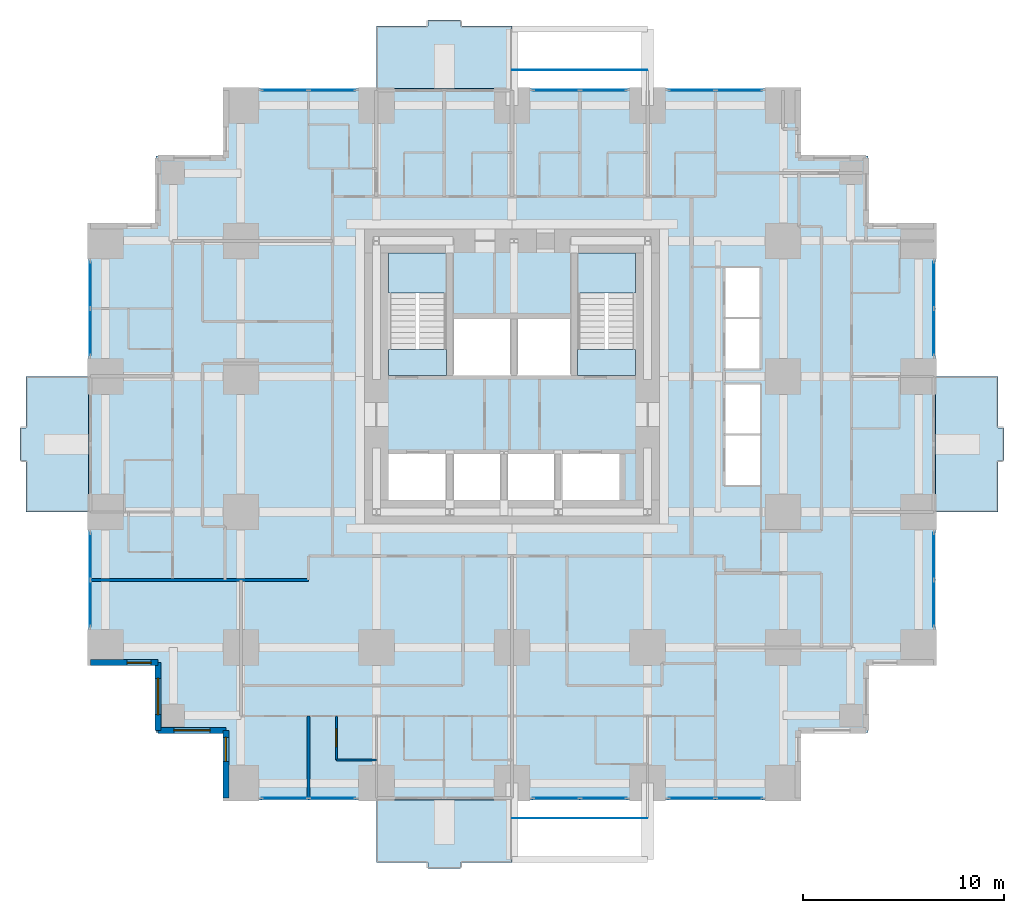
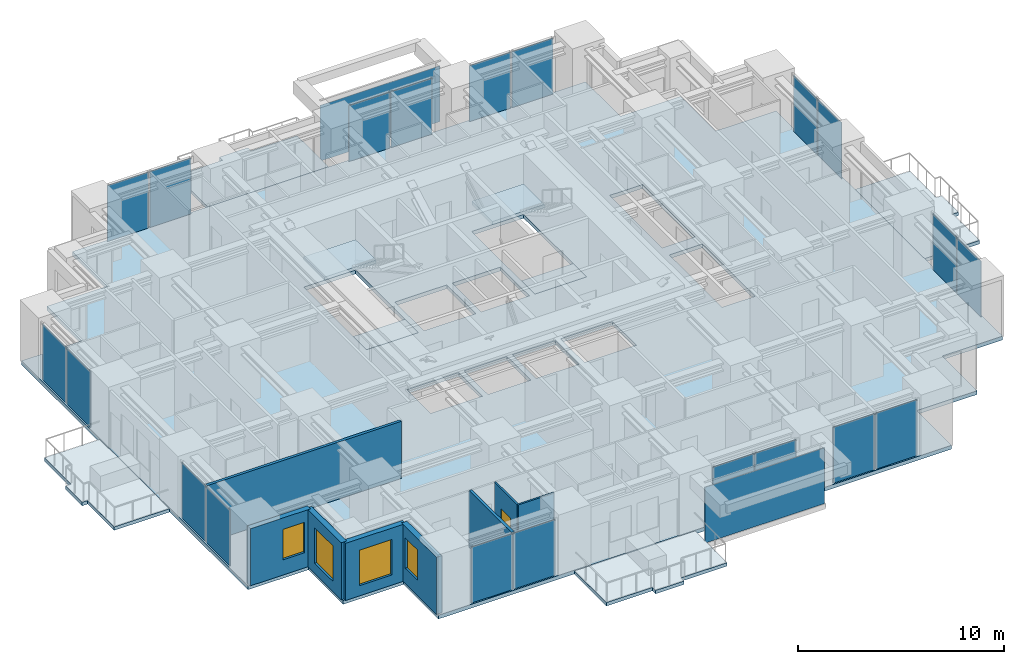
# One storey, part 6 of 13: 22 plates, 9 slabs, 8 walls, 4 windows, 1 door, 5 openings, 12 elements without a shape of their own.
"""IFC4 building model written with IfcOpenShell, lengths in metres."""

from ifc_helpers import new_model, si_unit, direction, frame, frame_2d, origin, origin_2d, place, context, subcontext, project, spatial, polyline, rectangle, outline, extrude, material, layer, layer_set, type_object, element, fill, aggregate, save


model = new_model("IFC4")

# Units and contexts
model_context = context("Model", 3, precision=1e-05, world=origin(), true_north=direction((0.0, 1.0)))
body_context = subcontext(model_context, "Body", "Model", "MODEL_VIEW")
ifc_project = project(units=[si_unit("LENGTHUNIT", "METRE"), si_unit("AREAUNIT", "SQUARE_METRE"), si_unit("VOLUMEUNIT", "CUBIC_METRE"), si_unit("PLANEANGLEUNIT", "RADIAN"), si_unit("MASSUNIT", "GRAM", prefix="KILO")], contexts=[model_context])

# Site, building, storey
site_placement = place(None, origin())
site = spatial("IfcSite", under=ifc_project, at=site_placement, CompositionType="ELEMENT")
building_placement = place(site_placement, origin())
building = spatial("IfcBuilding", under=site, at=building_placement, Name="Nyansa Garden Tower", CompositionType="ELEMENT")
storey_placement = place(building_placement, frame((0.0, 0.0, 87.300048828125)))
storey = spatial("IfcBuildingStorey", under=building, at=storey_placement, Name="L23", CompositionType="ELEMENT", Elevation=87.300048828125)

# Slabs
ifc_material_1 = material(Name="Concrete C40/50", Category="concrete")
ifc_layer_1 = layer(ifc_material_1, 0.199951171875)
ifc_layer_set_1 = layer_set([ifc_layer_1], Name="Balcony slab BS200")
slab_type_1 = type_object("IfcSlabType", Name="Balcony slab BS200", PredefinedType="FLOOR", material=ifc_layer_set_1)
slab_1_placement = place(storey_placement, frame((0.0, 0.0, -0.239990234375)))
element("IfcSlab", 1, at=slab_1_placement, inside=storey, type_object=slab_type_1, Name="Balcony L23 S", PredefinedType="FLOOR", context=body_context, shape_type="SweptSolid", body=[
    extrude(outline(polyline([(13.5, -0.85009765625), (20.25, -0.85009765625), (20.25, -3.949951171875), (17.675048828125, -3.949951171875), (17.675048828125, -4.25), (16.074951171875, -4.25), (16.074951171875, -3.949951171875), (13.5, -3.949951171875), (13.5, -0.85009765625)])), origin(), (0.0, 0.0, 1.0), 0.199951171875),
])
slab_2_placement = place(storey_placement, frame((0.0, 0.0, -0.239990234375)))
element("IfcSlab", 2, at=slab_2_placement, inside=storey, type_object=slab_type_1, Name="Balcony L23 E", PredefinedType="FLOOR", context=body_context, shape_type="SweptSolid", body=[
    extrude(outline(polyline([(41.35009765625, 13.5), (41.35009765625, 20.25), (44.449951171875, 20.25), (44.449951171875, 17.675048828125), (44.75, 17.675048828125), (44.75, 16.074951171875), (44.449951171875, 16.074951171875), (44.449951171875, 13.5), (41.35009765625, 13.5)])), origin(), (0.0, 0.0, 1.0), 0.199951171875),
])
slab_3_placement = place(storey_placement, frame((0.0, 0.0, -0.239990234375)))
element("IfcSlab", 3, at=slab_3_placement, inside=storey, type_object=slab_type_1, Name="Balcony L23 N", PredefinedType="FLOOR", context=body_context, shape_type="SweptSolid", body=[
    extrude(outline(polyline([(13.5, 34.60009765625), (20.25, 34.60009765625), (20.25, 37.699951171875), (17.675048828125, 37.699951171875), (17.675048828125, 38.0), (16.074951171875, 38.0), (16.074951171875, 37.699951171875), (13.5, 37.699951171875), (13.5, 34.60009765625)])), origin(), (0.0, 0.0, 1.0), 0.199951171875),
])
slab_4_placement = place(storey_placement, frame((0.0, 0.0, -0.239990234375)))
element("IfcSlab", 4, at=slab_4_placement, inside=storey, type_object=slab_type_1, Name="Balcony L23 W", PredefinedType="FLOOR", context=body_context, shape_type="SweptSolid", body=[
    extrude(outline(polyline([(-0.85009765625, 13.5), (-0.85009765625, 20.25), (-3.949951171875, 20.25), (-3.949951171875, 17.675048828125), (-4.25, 17.675048828125), (-4.25, 16.074951171875), (-3.949951171875, 16.074951171875), (-3.949951171875, 13.5), (-0.85009765625, 13.5)])), origin(), (0.0, 0.0, 1.0), 0.199951171875),
])

# Curtain wall, plates
ifc_material_2 = material(Name="Black anodised aluminium, dark tinted double glazing", Category="aluminium")
curtain_wall_type = type_object("IfcCurtainWallType", Name="Inner skin curtain wall ISW-B", PredefinedType="USERDEFINED", material=ifc_material_2)
curtain_wall_1_placement = place(storey_placement, origin())
curtain_wall_1 = element("IfcCurtainWall", 5, at=curtain_wall_1_placement, inside=storey, type_object=curtain_wall_type, Name="Inner skin curtain wall L23 E", ObjectType="UNITISED CURTAIN WALL", PredefinedType="USERDEFINED")
ifc_material_3 = material(Name="Dark tinted laminated double glazing", Category="glass")
ifc_layer_2 = layer(ifc_material_3, 0.035888671875)
ifc_layer_set_2 = layer_set([ifc_layer_2], Name="Dark tinted vision panel VP-B")
plate_type_1 = type_object("IfcPlateType", Name="Dark tinted vision panel VP-B", PredefinedType="CURTAIN_PANEL", material=ifc_layer_set_2)
plate_1_placement = place(storey_placement, frame((41.25, 8.94384765625, 0.0), z_axis=(0.0, 0.0, 1.0), x_axis=(0.0, 1.0, 0.0)))
plate_1 = element("IfcPlate", 6, at=plate_1_placement, type_object=plate_type_1, Name="ISW-B panel 1", PredefinedType="CURTAIN_PANEL", context=body_context, shape_type="SweptSolid", body=[
    extrude(rectangle(XDim=2.297607421875, YDim=0.035888671875, at=origin_2d()), origin(), (0.0, 0.0, 1.0), 3.31005859375),
])
plate_2_placement = place(storey_placement, frame((41.25, 11.30615234375, 0.0), z_axis=(0.0, 0.0, 1.0), x_axis=(0.0, 1.0, 0.0)))
plate_2 = element("IfcPlate", 7, at=plate_2_placement, type_object=plate_type_1, Name="ISW-B panel 2", PredefinedType="CURTAIN_PANEL", context=body_context, shape_type="SweptSolid", body=[
    extrude(rectangle(XDim=2.297607421875, YDim=0.035888671875, at=origin_2d()), origin(), (0.0, 0.0, 1.0), 3.31005859375),
])
aggregate(curtain_wall_1, [plate_1, plate_2])

curtain_wall_2_placement = place(storey_placement, origin())
curtain_wall_2 = element("IfcCurtainWall", 8, at=curtain_wall_2_placement, inside=storey, type_object=curtain_wall_type, Name="Inner skin curtain wall L23 E", ObjectType="UNITISED CURTAIN WALL", PredefinedType="USERDEFINED")
plate_3_placement = place(storey_placement, frame((41.25, 22.44384765625, 0.0), z_axis=(0.0, 0.0, 1.0), x_axis=(0.0, 1.0, 0.0)))
plate_3 = element("IfcPlate", 9, at=plate_3_placement, type_object=plate_type_1, Name="ISW-B panel 1", PredefinedType="CURTAIN_PANEL", context=body_context, shape_type="SweptSolid", body=[
    extrude(rectangle(XDim=2.297607421875, YDim=0.035888671875, at=origin_2d()), origin(), (0.0, 0.0, 1.0), 3.31005859375),
])
plate_4_placement = place(storey_placement, frame((41.25, 24.80615234375, 0.0), z_axis=(0.0, 0.0, 1.0), x_axis=(0.0, 1.0, 0.0)))
plate_4 = element("IfcPlate", 10, at=plate_4_placement, type_object=plate_type_1, Name="ISW-B panel 2", PredefinedType="CURTAIN_PANEL", context=body_context, shape_type="SweptSolid", body=[
    extrude(rectangle(XDim=2.297607421875, YDim=0.035888671875, at=origin_2d()), origin(), (0.0, 0.0, 1.0), 3.31005859375),
])
aggregate(curtain_wall_2, [plate_3, plate_4])

curtain_wall_3_placement = place(storey_placement, origin())
curtain_wall_3 = element("IfcCurtainWall", 11, at=curtain_wall_3_placement, inside=storey, type_object=curtain_wall_type, Name="Inner skin curtain wall L23 N", ObjectType="UNITISED CURTAIN WALL", PredefinedType="USERDEFINED")
plate_5_placement = place(storey_placement, frame((11.30615234375, 34.5, 0.0), z_axis=(0.0, 0.0, 1.0), x_axis=(-1.0, 0.0, 0.0)))
plate_5 = element("IfcPlate", 12, at=plate_5_placement, type_object=plate_type_1, Name="ISW-B panel 1", PredefinedType="CURTAIN_PANEL", context=body_context, shape_type="SweptSolid", body=[
    extrude(rectangle(XDim=2.297607421875, YDim=0.035888671875, at=origin_2d()), origin(), (0.0, 0.0, 1.0), 3.31005859375),
])
plate_6_placement = place(storey_placement, frame((8.94384765625, 34.5, 0.0), z_axis=(0.0, 0.0, 1.0), x_axis=(-1.0, 0.0, 0.0)))
plate_6 = element("IfcPlate", 13, at=plate_6_placement, type_object=plate_type_1, Name="ISW-B panel 2", PredefinedType="CURTAIN_PANEL", context=body_context, shape_type="SweptSolid", body=[
    extrude(rectangle(XDim=2.297607421875, YDim=0.035888671875, at=origin_2d()), origin(), (0.0, 0.0, 1.0), 3.31005859375),
])
aggregate(curtain_wall_3, [plate_5, plate_6])

curtain_wall_4_placement = place(storey_placement, origin())
curtain_wall_4 = element("IfcCurtainWall", 14, at=curtain_wall_4_placement, inside=storey, type_object=curtain_wall_type, Name="Inner skin curtain wall L23 N", ObjectType="UNITISED CURTAIN WALL", PredefinedType="USERDEFINED")
plate_7_placement = place(storey_placement, frame((31.55615234375, 34.5, 0.0), z_axis=(0.0, 0.0, 1.0), x_axis=(-1.0, 0.0, 0.0)))
plate_7 = element("IfcPlate", 15, at=plate_7_placement, type_object=plate_type_1, Name="ISW-B panel 1", PredefinedType="CURTAIN_PANEL", context=body_context, shape_type="SweptSolid", body=[
    extrude(rectangle(XDim=2.297607421875, YDim=0.035888671875, at=origin_2d()), origin(), (0.0, 0.0, 1.0), 3.31005859375),
])
plate_8_placement = place(storey_placement, frame((29.19384765625, 34.5, 0.0), z_axis=(0.0, 0.0, 1.0), x_axis=(-1.0, 0.0, 0.0)))
plate_8 = element("IfcPlate", 16, at=plate_8_placement, type_object=plate_type_1, Name="ISW-B panel 2", PredefinedType="CURTAIN_PANEL", context=body_context, shape_type="SweptSolid", body=[
    extrude(rectangle(XDim=2.297607421875, YDim=0.035888671875, at=origin_2d()), origin(), (0.0, 0.0, 1.0), 3.31005859375),
])
aggregate(curtain_wall_4, [plate_7, plate_8])

curtain_wall_5_placement = place(storey_placement, origin())
curtain_wall_5 = element("IfcCurtainWall", 17, at=curtain_wall_5_placement, inside=storey, type_object=curtain_wall_type, Name="Inner skin curtain wall L23 N", ObjectType="UNITISED CURTAIN WALL", PredefinedType="USERDEFINED")
plate_9_placement = place(storey_placement, frame((24.80615234375, 34.5, 0.0), z_axis=(0.0, 0.0, 1.0), x_axis=(-1.0, 0.0, 0.0)))
plate_9 = element("IfcPlate", 18, at=plate_9_placement, type_object=plate_type_1, Name="ISW-B panel 1", PredefinedType="CURTAIN_PANEL", context=body_context, shape_type="SweptSolid", body=[
    extrude(rectangle(XDim=2.297607421875, YDim=0.035888671875, at=origin_2d()), origin(), (0.0, 0.0, 1.0), 3.31005859375),
])
plate_10_placement = place(storey_placement, frame((22.44384765625, 34.5, 0.0), z_axis=(0.0, 0.0, 1.0), x_axis=(-1.0, 0.0, 0.0)))
plate_10 = element("IfcPlate", 19, at=plate_10_placement, type_object=plate_type_1, Name="ISW-B panel 2", PredefinedType="CURTAIN_PANEL", context=body_context, shape_type="SweptSolid", body=[
    extrude(rectangle(XDim=2.297607421875, YDim=0.035888671875, at=origin_2d()), origin(), (0.0, 0.0, 1.0), 3.31005859375),
])
aggregate(curtain_wall_5, [plate_9, plate_10])

curtain_wall_6_placement = place(storey_placement, origin())
curtain_wall_6 = element("IfcCurtainWall", 20, at=curtain_wall_6_placement, inside=storey, type_object=curtain_wall_type, Name="Inner skin curtain wall L23 W", ObjectType="UNITISED CURTAIN WALL", PredefinedType="USERDEFINED")
plate_11_placement = place(storey_placement, frame((-0.75, 11.30615234375, 0.0), z_axis=(0.0, 0.0, 1.0), x_axis=(0.0, -1.0, 0.0)))
plate_11 = element("IfcPlate", 21, at=plate_11_placement, type_object=plate_type_1, Name="ISW-B panel 1", PredefinedType="CURTAIN_PANEL", context=body_context, shape_type="SweptSolid", body=[
    extrude(rectangle(XDim=2.297607421875, YDim=0.035888671875, at=origin_2d()), origin(), (0.0, 0.0, 1.0), 3.31005859375),
])
plate_12_placement = place(storey_placement, frame((-0.75, 8.94384765625, 0.0), z_axis=(0.0, 0.0, 1.0), x_axis=(0.0, -1.0, 0.0)))
plate_12 = element("IfcPlate", 22, at=plate_12_placement, type_object=plate_type_1, Name="ISW-B panel 2", PredefinedType="CURTAIN_PANEL", context=body_context, shape_type="SweptSolid", body=[
    extrude(rectangle(XDim=2.297607421875, YDim=0.035888671875, at=origin_2d()), origin(), (0.0, 0.0, 1.0), 3.31005859375),
])
aggregate(curtain_wall_6, [plate_11, plate_12])

curtain_wall_7_placement = place(storey_placement, origin())
curtain_wall_7 = element("IfcCurtainWall", 23, at=curtain_wall_7_placement, inside=storey, type_object=curtain_wall_type, Name="Inner skin curtain wall L23 W", ObjectType="UNITISED CURTAIN WALL", PredefinedType="USERDEFINED")
plate_13_placement = place(storey_placement, frame((-0.75, 24.80615234375, 0.0), z_axis=(0.0, 0.0, 1.0), x_axis=(0.0, -1.0, 0.0)))
plate_13 = element("IfcPlate", 24, at=plate_13_placement, type_object=plate_type_1, Name="ISW-B panel 1", PredefinedType="CURTAIN_PANEL", context=body_context, shape_type="SweptSolid", body=[
    extrude(rectangle(XDim=2.297607421875, YDim=0.035888671875, at=origin_2d()), origin(), (0.0, 0.0, 1.0), 3.31005859375),
])
plate_14_placement = place(storey_placement, frame((-0.75, 22.44384765625, 0.0), z_axis=(0.0, 0.0, 1.0), x_axis=(0.0, -1.0, 0.0)))
plate_14 = element("IfcPlate", 25, at=plate_14_placement, type_object=plate_type_1, Name="ISW-B panel 2", PredefinedType="CURTAIN_PANEL", context=body_context, shape_type="SweptSolid", body=[
    extrude(rectangle(XDim=2.297607421875, YDim=0.035888671875, at=origin_2d()), origin(), (0.0, 0.0, 1.0), 3.31005859375),
])
aggregate(curtain_wall_7, [plate_13, plate_14])

curtain_wall_8_placement = place(storey_placement, origin())
curtain_wall_8 = element("IfcCurtainWall", 26, at=curtain_wall_8_placement, inside=storey, type_object=curtain_wall_type, Name="Inner skin curtain wall L23 S", ObjectType="UNITISED CURTAIN WALL", PredefinedType="USERDEFINED")
plate_15_placement = place(storey_placement, frame((8.94384765625, -0.75, 0.0), z_axis=(0.0, 0.0, 1.0), x_axis=(1.0, 0.0, 0.0)))
plate_15 = element("IfcPlate", 27, at=plate_15_placement, type_object=plate_type_1, Name="ISW-B panel 1", PredefinedType="CURTAIN_PANEL", context=body_context, shape_type="SweptSolid", body=[
    extrude(rectangle(XDim=2.297607421875, YDim=0.035888671875, at=origin_2d()), origin(), (0.0, 0.0, 1.0), 3.31005859375),
])
plate_16_placement = place(storey_placement, frame((11.30615234375, -0.75, 0.0), z_axis=(0.0, 0.0, 1.0), x_axis=(1.0, 0.0, 0.0)))
plate_16 = element("IfcPlate", 28, at=plate_16_placement, type_object=plate_type_1, Name="ISW-B panel 2", PredefinedType="CURTAIN_PANEL", context=body_context, shape_type="SweptSolid", body=[
    extrude(rectangle(XDim=2.297607421875, YDim=0.035888671875, at=origin_2d()), origin(), (0.0, 0.0, 1.0), 3.31005859375),
])
aggregate(curtain_wall_8, [plate_15, plate_16])

curtain_wall_9_placement = place(storey_placement, origin())
curtain_wall_9 = element("IfcCurtainWall", 29, at=curtain_wall_9_placement, inside=storey, type_object=curtain_wall_type, Name="Inner skin curtain wall L23 S", ObjectType="UNITISED CURTAIN WALL", PredefinedType="USERDEFINED")
plate_17_placement = place(storey_placement, frame((22.44384765625, -0.75, 0.0), z_axis=(0.0, 0.0, 1.0), x_axis=(1.0, 0.0, 0.0)))
plate_17 = element("IfcPlate", 30, at=plate_17_placement, type_object=plate_type_1, Name="ISW-B panel 1", PredefinedType="CURTAIN_PANEL", context=body_context, shape_type="SweptSolid", body=[
    extrude(rectangle(XDim=2.297607421875, YDim=0.035888671875, at=origin_2d()), origin(), (0.0, 0.0, 1.0), 3.31005859375),
])
plate_18_placement = place(storey_placement, frame((24.80615234375, -0.75, 0.0), z_axis=(0.0, 0.0, 1.0), x_axis=(1.0, 0.0, 0.0)))
plate_18 = element("IfcPlate", 31, at=plate_18_placement, type_object=plate_type_1, Name="ISW-B panel 2", PredefinedType="CURTAIN_PANEL", context=body_context, shape_type="SweptSolid", body=[
    extrude(rectangle(XDim=2.297607421875, YDim=0.035888671875, at=origin_2d()), origin(), (0.0, 0.0, 1.0), 3.31005859375),
])
aggregate(curtain_wall_9, [plate_17, plate_18])

curtain_wall_10_placement = place(storey_placement, origin())
curtain_wall_10 = element("IfcCurtainWall", 32, at=curtain_wall_10_placement, inside=storey, type_object=curtain_wall_type, Name="Inner skin curtain wall L23 S", ObjectType="UNITISED CURTAIN WALL", PredefinedType="USERDEFINED")
plate_19_placement = place(storey_placement, frame((29.19384765625, -0.75, 0.0), z_axis=(0.0, 0.0, 1.0), x_axis=(1.0, 0.0, 0.0)))
plate_19 = element("IfcPlate", 33, at=plate_19_placement, type_object=plate_type_1, Name="ISW-B panel 1", PredefinedType="CURTAIN_PANEL", context=body_context, shape_type="SweptSolid", body=[
    extrude(rectangle(XDim=2.297607421875, YDim=0.035888671875, at=origin_2d()), origin(), (0.0, 0.0, 1.0), 3.31005859375),
])
plate_20_placement = place(storey_placement, frame((31.55615234375, -0.75, 0.0), z_axis=(0.0, 0.0, 1.0), x_axis=(1.0, 0.0, 0.0)))
plate_20 = element("IfcPlate", 34, at=plate_20_placement, type_object=plate_type_1, Name="ISW-B panel 2", PredefinedType="CURTAIN_PANEL", context=body_context, shape_type="SweptSolid", body=[
    extrude(rectangle(XDim=2.297607421875, YDim=0.035888671875, at=origin_2d()), origin(), (0.0, 0.0, 1.0), 3.31005859375),
])
aggregate(curtain_wall_10, [plate_19, plate_20])

# Slab
ifc_material_4 = material(Name="Concrete C40/50", Category="concrete")
ifc_layer_3 = layer(ifc_material_4, 0.22509765625)
ifc_layer_set_3 = layer_set([ifc_layer_3], Name="Floor slab FS225")
slab_type_2 = type_object("IfcSlabType", Name="Floor slab FS225", PredefinedType="FLOOR", material=ifc_layer_set_3)
slab_5_placement = place(storey_placement, frame((0.0, 0.0, -0.22509765625)))
element("IfcSlab", 35, at=slab_5_placement, inside=storey, type_object=slab_type_2, Name="Floor slab L23", PredefinedType="FLOOR", context=body_context, shape_type="SweptSolid", body=[
    extrude(outline(polyline([(41.35009765625, 5.89990234375), (37.97509765625, 5.89990234375), (37.97509765625, 2.52490234375), (34.60009765625, 2.52490234375), (34.60009765625, -0.85009765625), (5.89990234375, -0.85009765625), (5.89990234375, 2.52490234375), (2.52490234375, 2.52490234375), (2.52490234375, 5.89990234375), (-0.85009765625, 5.89990234375), (-0.85009765625, 27.85009765625), (2.52490234375, 27.85009765625), (2.52490234375, 31.22509765625), (5.89990234375, 31.22509765625), (5.89990234375, 34.60009765625), (34.60009765625, 34.60009765625), (34.60009765625, 31.22509765625), (37.97509765625, 31.22509765625), (37.97509765625, 27.85009765625), (41.35009765625, 27.85009765625), (41.35009765625, 5.89990234375)]), holes=[polyline([(14.10009765625, 14.10009765625), (17.0, 14.10009765625), (17.0, 16.39990234375), (14.10009765625, 16.39990234375), (14.10009765625, 14.10009765625)]), polyline([(17.300048828125, 14.10009765625), (19.699951171875, 14.10009765625), (19.699951171875, 16.39990234375), (17.300048828125, 16.39990234375), (17.300048828125, 14.10009765625)]), polyline([(20.0, 14.10009765625), (22.39990234375, 14.10009765625), (22.39990234375, 16.39990234375), (20.0, 16.39990234375), (20.0, 14.10009765625)]), polyline([(22.699951171875, 14.10009765625), (25.60009765625, 14.10009765625), (25.60009765625, 16.39990234375), (22.699951171875, 16.39990234375), (22.699951171875, 14.10009765625)]), polyline([(17.300048828125, 20.300048828125), (20.199951171875, 20.300048828125), (20.199951171875, 23.10009765625), (17.300048828125, 23.10009765625), (17.300048828125, 20.300048828125)]), polyline([(20.5, 20.300048828125), (23.199951171875, 20.300048828125), (23.199951171875, 23.10009765625), (20.5, 23.10009765625), (20.5, 20.300048828125)]), polyline([(30.800048828125, 14.800048828125), (32.64990234375, 14.800048828125), (32.64990234375, 19.89990234375), (30.800048828125, 19.89990234375), (30.800048828125, 14.800048828125)]), polyline([(30.800048828125, 20.60009765625), (32.64990234375, 20.60009765625), (32.64990234375, 25.699951171875), (30.800048828125, 25.699951171875), (30.800048828125, 20.60009765625)]), polyline([(14.10009765625, 20.300048828125), (17.0, 20.300048828125), (17.0, 26.39990234375), (14.10009765625, 26.39990234375), (14.10009765625, 20.300048828125)]), polyline([(23.5, 20.300048828125), (26.39990234375, 20.300048828125), (26.39990234375, 26.39990234375), (23.5, 26.39990234375), (23.5, 20.300048828125)])]), origin(), (0.0, 0.0, 1.0), 0.22509765625),
])

# Plates
ifc_material_5 = material(Name="Dark tinted laminated glass", Category="glass")
ifc_layer_4 = layer(ifc_material_5, 0.02392578125)
ifc_layer_set_4 = layer_set([ifc_layer_4], Name="Outer skin glass panel OS1")
plate_type_2 = type_object("IfcPlateType", Name="Outer skin glass panel OS1", PredefinedType="USERDEFINED", material=ifc_layer_set_4)
for number, where, z_axis, x_axis, name in (
    (36, (23.625, 35.5, -0.22509765625), (0.0, 0.0, 1.0), (1.0, 0.0, 0.0), "Outer skin glass panel L23"),
    (37, (23.625, -1.75, -0.22509765625), (0.0, 0.0, 1.0), (1.0, 0.0, 0.0), "Outer skin glass panel L23"),
):
    element("IfcPlate", number, at=place(storey_placement, frame(where, z_axis=z_axis, x_axis=x_axis)), inside=storey, type_object=plate_type_2, Name=name, ObjectType="OUTER SKIN GLASS", PredefinedType="USERDEFINED", context=body_context, shape_type="SweptSolid", body=[
        extrude(rectangle(XDim=6.7099609375, YDim=0.02392578125, at=origin_2d()), origin(), (0.0, 0.0, 1.0), 3.300048828125),
    ])

# Stair, slabs
ifc_material_6 = material(Name="Precast concrete C40/50", Category="concrete")
stair_type_1 = type_object("IfcStairType", Name="Stair S1 164x280", PredefinedType="HALF_TURN_STAIR", material=ifc_material_6)
stair_1_placement = place(storey_placement, origin())
stair_1 = element("IfcStair", 38, at=stair_1_placement, inside=storey, type_object=stair_type_1, Name="Stair S1 L23", PredefinedType="HALF_TURN_STAIR")
ifc_material_7 = material(Name="Concrete C40/50", Category="concrete")
ifc_layer_5 = layer(ifc_material_7, 0.199951171875)
ifc_layer_set_5 = layer_set([ifc_layer_5], Name="Stair landing SL200")
slab_type_3 = type_object("IfcSlabType", Name="Stair landing SL200", PredefinedType="LANDING", material=ifc_layer_set_5)
slab_6_placement = place(storey_placement, frame((0.0, 0.0, -0.199951171875)))
slab_6 = element("IfcSlab", 39, at=slab_6_placement, type_object=slab_type_3, Name="S1 landing 1", PredefinedType="LANDING", context=body_context, shape_type="SweptSolid", body=[
    extrude(outline(polyline([(14.10009765625, 20.300048828125), (17.0, 20.300048828125), (17.0, 21.60009765625), (14.10009765625, 21.60009765625), (14.10009765625, 20.300048828125)])), origin(), (0.0, 0.0, 1.0), 0.199951171875),
])
slab_7_placement = place(storey_placement, frame((0.0, 0.0, 1.599853515625)))
slab_7 = element("IfcSlab", 40, at=slab_7_placement, type_object=slab_type_3, Name="S1 landing 2", PredefinedType="LANDING", context=body_context, shape_type="SweptSolid", body=[
    extrude(outline(polyline([(14.10009765625, 24.39990234375), (17.0, 24.39990234375), (17.0, 26.39990234375), (14.10009765625, 26.39990234375), (14.10009765625, 24.39990234375)])), origin(), (0.0, 0.0, 1.0), 0.2001953125),
])
aggregate(stair_1, [slab_6, slab_7])

ifc_material_8 = material(Name="Precast concrete C40/50", Category="concrete")
stair_type_2 = type_object("IfcStairType", Name="Stair S2 164x280", PredefinedType="HALF_TURN_STAIR", material=ifc_material_8)
stair_2_placement = place(storey_placement, origin())
stair_2 = element("IfcStair", 41, at=stair_2_placement, inside=storey, type_object=stair_type_2, Name="Stair S2 L23", PredefinedType="HALF_TURN_STAIR")
slab_8_placement = place(storey_placement, frame((0.0, 0.0, -0.199951171875)))
slab_8 = element("IfcSlab", 42, at=slab_8_placement, type_object=slab_type_3, Name="S2 landing 1", PredefinedType="LANDING", context=body_context, shape_type="SweptSolid", body=[
    extrude(outline(polyline([(23.5, 20.300048828125), (26.39990234375, 20.300048828125), (26.39990234375, 21.60009765625), (23.5, 21.60009765625), (23.5, 20.300048828125)])), origin(), (0.0, 0.0, 1.0), 0.199951171875),
])
slab_9_placement = place(storey_placement, frame((0.0, 0.0, 1.599853515625)))
slab_9 = element("IfcSlab", 43, at=slab_9_placement, type_object=slab_type_3, Name="S2 landing 2", PredefinedType="LANDING", context=body_context, shape_type="SweptSolid", body=[
    extrude(outline(polyline([(23.5, 24.39990234375), (26.39990234375, 24.39990234375), (26.39990234375, 26.39990234375), (23.5, 26.39990234375), (23.5, 24.39990234375)])), origin(), (0.0, 0.0, 1.0), 0.2001953125),
])
aggregate(stair_2, [slab_8, slab_9])

# Walls
ifc_material_9 = material(Name="Blockwork, plastered both sides", Category="masonry")
ifc_layer_6 = layer(ifc_material_9, 0.14990234375)
ifc_layer_set_6 = layer_set([ifc_layer_6], Name="Partition PW150")
wall_type_1 = type_object("IfcWallType", Name="Partition PW150", PredefinedType="PARTITIONING", material=ifc_layer_set_6)
wall_1_placement = place(storey_placement, frame((-0.73388671875, 10.125, 0.0), z_axis=(0.0, 0.0, 1.0), x_axis=(1.0, 0.0, 0.0)))
element("IfcWall", 44, at=wall_1_placement, inside=storey, type_object=wall_type_1, Name="Partition", PredefinedType="PARTITIONING", context=body_context, shape_type="SweptSolid", body=[
    extrude(rectangle(XDim=10.85888671875, YDim=0.14990234375, at=frame_2d((5.429443359375, 0.0))), origin(), (0.0, 0.0, 1.0), 3.375),
])
wall_2_placement = place(storey_placement, frame((10.125, -0.73388671875, 0.0), z_axis=(0.0, 0.0, 1.0), x_axis=(0.0, 1.0, 0.0)))
element("IfcWall", 45, at=wall_2_placement, inside=storey, type_object=wall_type_1, Name="Partition", PredefinedType="PARTITIONING", context=body_context, shape_type="SweptSolid", body=[
    extrude(rectangle(XDim=4.083984375, YDim=0.14990234375, at=frame_2d((2.0419921875, 0.0))), origin(), (0.0, 0.0, 1.0), 3.375),
])

# Wall, opening, window
ifc_material_10 = material(Name="Turquoise glazed tile on concrete blockwork", Category="masonry")
ifc_layer_7 = layer(ifc_material_10, 0.300048828125)
ifc_layer_set_7 = layer_set([ifc_layer_7], Name="Tiled corner wall TW300")
wall_type_2 = type_object("IfcWallType", Name="Tiled corner wall TW300", PredefinedType="SOLIDWALL", material=ifc_layer_set_7)
wall_3_placement = place(storey_placement, frame((-0.75, 6.0, 0.0), z_axis=(0.0, 0.0, 1.0), x_axis=(1.0, 0.0, 0.0)))
wall_3 = element("IfcWall", 46, at=wall_3_placement, inside=storey, type_object=wall_type_2, Name="Tiled corner wall L23", PredefinedType="SOLIDWALL", context=body_context, shape_type="SweptSolid", body=[
    extrude(rectangle(XDim=3.375, YDim=0.300048828125, at=frame_2d((1.6875, 0.0))), origin(), (0.0, 0.0, 1.0), 3.375),
])
opening_1_placement = place(wall_3_placement, frame((1.83251953125, 0.0, 0.89990234375)))
opening_1 = element("IfcOpeningElement", 47, at=opening_1_placement, cuts=wall_3, Name="Opening W4", PredefinedType="OPENING", context=body_context, shape_type="SweptSolid", body=[
    extrude(rectangle(XDim=1.199951171875, YDim=1.800048828125, at=frame_2d((0.60009765625, 0.89990234375))), frame((0.0, 0.159912109375, 0.0), z_axis=(0.0, -1.0, 0.0), x_axis=(1.0, 0.0, 0.0)), (0.0, 0.0, 1.0), 0.320068359375),
])
ifc_material_11 = material(Name="Black aluminium frame, dark tinted double glazing", Category="aluminium")
window_type_1 = type_object("IfcWindowType", Name="Window W4 1200x1800", PartitioningType="SINGLE_PANEL", PredefinedType="WINDOW", material=ifc_material_11)
window_1_placement = place(opening_1_placement, origin())
window_1 = element("IfcWindow", 48, at=window_1_placement, inside=storey, type_object=window_type_1, Name="Corner window L23", OverallHeight=1.800048828125, OverallWidth=1.199951171875, PartitioningType="SINGLE_PANEL", PredefinedType="WINDOW", context=body_context, shape_type="SweptSolid", body=[
    extrude(rectangle(XDim=1.199951171875, YDim=1.800048828125, at=frame_2d((0.60009765625, 0.89990234375))), frame((0.0, 0.030029296875, 0.0), z_axis=(0.0, -1.0, 0.0), x_axis=(1.0, 0.0, 0.0)), (0.0, 0.0, 1.0), 0.06005859375),
])
fill(opening_1, window_1)

wall_4_placement = place(storey_placement, frame((2.625, 6.0, 0.0), z_axis=(0.0, 0.0, 1.0), x_axis=(0.0, -1.0, 0.0)))
wall_4 = element("IfcWall", 49, at=wall_4_placement, inside=storey, type_object=wall_type_2, Name="Tiled corner wall L23", PredefinedType="SOLIDWALL", context=body_context, shape_type="SweptSolid", body=[
    extrude(rectangle(XDim=3.375, YDim=0.300048828125, at=frame_2d((1.6875, 0.0))), origin(), (0.0, 0.0, 1.0), 3.375),
])
opening_2_placement = place(wall_4_placement, frame((0.78759765625, 0.0, 0.60009765625)))
opening_2 = element("IfcOpeningElement", 50, at=opening_2_placement, cuts=wall_4, Name="Opening W2", PredefinedType="OPENING", context=body_context, shape_type="SweptSolid", body=[
    extrude(rectangle(XDim=1.800048828125, YDim=2.10009765625, at=frame_2d((0.89990234375, 1.050048828125))), frame((0.0, 0.159912109375, 0.0), z_axis=(0.0, -1.0, 0.0), x_axis=(1.0, 0.0, 0.0)), (0.0, 0.0, 1.0), 0.320068359375),
])
ifc_material_12 = material(Name="Black aluminium frame, dark tinted double glazing", Category="aluminium")
window_type_2 = type_object("IfcWindowType", Name="Window W2 1800x2100", PartitioningType="SINGLE_PANEL", PredefinedType="WINDOW", material=ifc_material_12)
window_2_placement = place(opening_2_placement, origin())
window_2 = element("IfcWindow", 51, at=window_2_placement, inside=storey, type_object=window_type_2, Name="Corner window L23", OverallHeight=2.10009765625, OverallWidth=1.800048828125, PartitioningType="SINGLE_PANEL", PredefinedType="WINDOW", context=body_context, shape_type="SweptSolid", body=[
    extrude(rectangle(XDim=1.800048828125, YDim=2.10009765625, at=frame_2d((0.89990234375, 1.050048828125))), frame((0.0, 0.030029296875, 0.0), z_axis=(0.0, -1.0, 0.0), x_axis=(1.0, 0.0, 0.0)), (0.0, 0.0, 1.0), 0.06005859375),
])
fill(opening_2, window_2)

wall_5_placement = place(storey_placement, frame((2.625, 2.625, 0.0), z_axis=(0.0, 0.0, 1.0), x_axis=(1.0, 0.0, 0.0)))
wall_5 = element("IfcWall", 52, at=wall_5_placement, inside=storey, type_object=wall_type_2, Name="Tiled corner wall L23", PredefinedType="SOLIDWALL", context=body_context, shape_type="SweptSolid", body=[
    extrude(rectangle(XDim=3.375, YDim=0.300048828125, at=frame_2d((1.6875, 0.0))), origin(), (0.0, 0.0, 1.0), 3.375),
])
opening_3_placement = place(wall_5_placement, frame((0.78759765625, 0.0, 0.60009765625)))
opening_3 = element("IfcOpeningElement", 53, at=opening_3_placement, cuts=wall_5, Name="Opening W2", PredefinedType="OPENING", context=body_context, shape_type="SweptSolid", body=[
    extrude(rectangle(XDim=1.800048828125, YDim=2.10009765625, at=frame_2d((0.89990234375, 1.050048828125))), frame((0.0, 0.159912109375, 0.0), z_axis=(0.0, -1.0, 0.0), x_axis=(1.0, 0.0, 0.0)), (0.0, 0.0, 1.0), 0.320068359375),
])
window_3_placement = place(opening_3_placement, origin())
window_3 = element("IfcWindow", 54, at=window_3_placement, inside=storey, type_object=window_type_2, Name="Corner window L23", OverallHeight=2.10009765625, OverallWidth=1.800048828125, PartitioningType="SINGLE_PANEL", PredefinedType="WINDOW", context=body_context, shape_type="SweptSolid", body=[
    extrude(rectangle(XDim=1.800048828125, YDim=2.10009765625, at=frame_2d((0.89990234375, 1.050048828125))), frame((0.0, 0.030029296875, 0.0), z_axis=(0.0, -1.0, 0.0), x_axis=(1.0, 0.0, 0.0)), (0.0, 0.0, 1.0), 0.06005859375),
])
fill(opening_3, window_3)

wall_6_placement = place(storey_placement, frame((6.0, 2.625, 0.0), z_axis=(0.0, 0.0, 1.0), x_axis=(0.0, -1.0, 0.0)))
wall_6 = element("IfcWall", 55, at=wall_6_placement, inside=storey, type_object=wall_type_2, Name="Tiled corner wall L23", PredefinedType="SOLIDWALL", context=body_context, shape_type="SweptSolid", body=[
    extrude(rectangle(XDim=3.375, YDim=0.300048828125, at=frame_2d((1.6875, 0.0))), origin(), (0.0, 0.0, 1.0), 3.375),
])
opening_4_placement = place(wall_6_placement, frame((0.342529296875, 0.0, 0.89990234375)))
opening_4 = element("IfcOpeningElement", 56, at=opening_4_placement, cuts=wall_6, Name="Opening W4", PredefinedType="OPENING", context=body_context, shape_type="SweptSolid", body=[
    extrude(rectangle(XDim=1.199951171875, YDim=1.800048828125, at=frame_2d((0.60009765625, 0.89990234375))), frame((0.0, 0.159912109375, 0.0), z_axis=(0.0, -1.0, 0.0), x_axis=(1.0, 0.0, 0.0)), (0.0, 0.0, 1.0), 0.320068359375),
])
window_4_placement = place(opening_4_placement, origin())
window_4 = element("IfcWindow", 57, at=window_4_placement, inside=storey, type_object=window_type_1, Name="Corner window L23", OverallHeight=1.800048828125, OverallWidth=1.199951171875, PartitioningType="SINGLE_PANEL", PredefinedType="WINDOW", context=body_context, shape_type="SweptSolid", body=[
    extrude(rectangle(XDim=1.199951171875, YDim=1.800048828125, at=frame_2d((0.60009765625, 0.89990234375))), frame((0.0, 0.030029296875, 0.0), z_axis=(0.0, -1.0, 0.0), x_axis=(1.0, 0.0, 0.0)), (0.0, 0.0, 1.0), 0.06005859375),
])
fill(opening_4, window_4)

# Wall, opening, door
ifc_material_13 = material(Name="Moisture resistant board on steel studs, tiled", Category="steel")
ifc_layer_8 = layer(ifc_material_13, 0.10009765625)
ifc_layer_set_8 = layer_set([ifc_layer_8], Name="Wet wall PW100")
wall_type_3 = type_object("IfcWallType", Name="Wet wall PW100", PredefinedType="PARTITIONING", material=ifc_layer_set_8)
wall_7_placement = place(storey_placement, frame((11.5, 1.14990234375, 0.0), z_axis=(0.0, 0.0, 1.0), x_axis=(0.0, 1.0, 0.0)))
wall_7 = element("IfcWall", 58, at=wall_7_placement, inside=storey, type_object=wall_type_3, Name="Wet wall", PredefinedType="PARTITIONING", context=body_context, shape_type="SweptSolid", body=[
    extrude(rectangle(XDim=2.2001953125, YDim=0.10009765625, at=frame_2d((1.10009765625, 0.0))), origin(), (0.0, 0.0, 1.0), 3.375),
])
opening_5_placement = place(wall_7_placement, frame((0.64990234375, 0.0, 0.0)))
opening_5 = element("IfcOpeningElement", 59, at=opening_5_placement, cuts=wall_7, Name="Opening D02", PredefinedType="OPENING", context=body_context, shape_type="SweptSolid", body=[
    extrude(rectangle(XDim=0.89990234375, YDim=2.199951171875, at=frame_2d((0.449951171875, 1.10009765625))), frame((0.0, 0.06005859375, 0.0), z_axis=(0.0, -1.0, 0.0), x_axis=(1.0, 0.0, 0.0)), (0.0, 0.0, 1.0), 0.1201171875),
])
ifc_material_14 = material(Name="Timber flush door", Category="wood")
door_type = type_object("IfcDoorType", Name="En-suite door D02 900x2200", OperationType="SINGLE_SWING_RIGHT", PredefinedType="DOOR", material=ifc_material_14)
door_placement = place(opening_5_placement, origin())
door = element("IfcDoor", 60, at=door_placement, inside=storey, type_object=door_type, Name="Door L23-019", OperationType="SINGLE_SWING_RIGHT", OverallHeight=2.199951171875, OverallWidth=0.89990234375, PredefinedType="DOOR", context=body_context, shape_type="SweptSolid", body=[
    extrude(rectangle(XDim=0.89990234375, YDim=2.199951171875, at=frame_2d((0.449951171875, 1.10009765625))), frame((0.0, 0.02490234375, 0.0), z_axis=(0.0, -1.0, 0.0), x_axis=(1.0, 0.0, 0.0)), (0.0, 0.0, 1.0), 0.050048828125),
])
fill(opening_5, door)

# Wall
wall_8_placement = place(storey_placement, frame((11.5, 1.14990234375, 0.0), z_axis=(0.0, 0.0, 1.0), x_axis=(1.0, 0.0, 0.0)))
element("IfcWall", 61, at=wall_8_placement, inside=storey, type_object=wall_type_3, Name="Wet wall", PredefinedType="PARTITIONING", context=body_context, shape_type="SweptSolid", body=[
    extrude(rectangle(XDim=2.0, YDim=0.10009765625, at=frame_2d((1.0, 0.0))), origin(), (0.0, 0.0, 1.0), 3.375),
])

save(model, "model.ifc")
